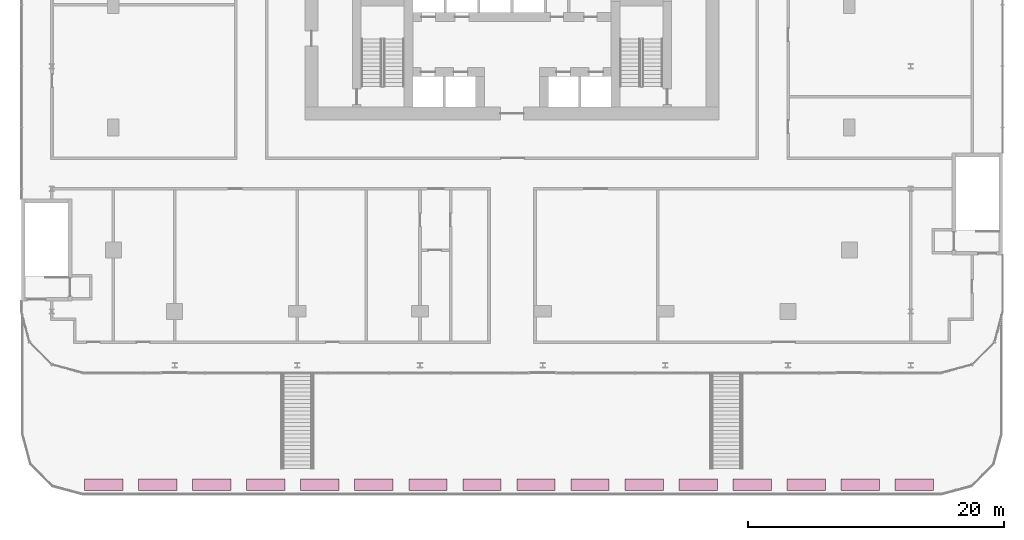
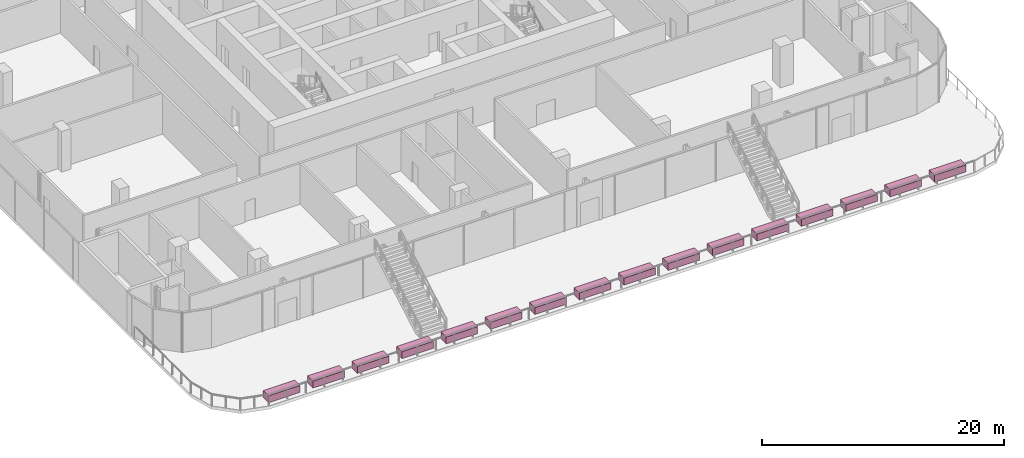
# One storey, part 32 of 32: 16 furniture elements.
"""IFC4 building model written with IfcOpenShell, lengths in metres."""

from ifc_helpers import new_model, si_unit, direction, frame, origin, origin_2d, place, context, subcontext, project, spatial, rectangle, extrude, material, type_object, element, save


model = new_model("IFC4")

# Units and contexts
model_context = context("Model", 3, precision=1e-05, world=origin(), true_north=direction((0.0, 1.0)))
body_context = subcontext(model_context, "Body", "Model", "MODEL_VIEW")
ifc_project = project(units=[si_unit("LENGTHUNIT", "METRE"), si_unit("AREAUNIT", "SQUARE_METRE"), si_unit("VOLUMEUNIT", "CUBIC_METRE"), si_unit("PLANEANGLEUNIT", "RADIAN"), si_unit("MASSUNIT", "GRAM", prefix="KILO")], contexts=[model_context])

# Site, building, storey
site_placement = place(None, origin())
site = spatial("IfcSite", under=ifc_project, at=site_placement, CompositionType="ELEMENT")
building_placement = place(site_placement, origin())
building = spatial("IfcBuilding", under=site, at=building_placement, Name="Madar Terraces", CompositionType="ELEMENT")
storey_placement = place(building_placement, frame((0.0, 0.0, 19.5)))
storey = spatial("IfcBuildingStorey", under=building, at=storey_placement, Name="L04", CompositionType="ELEMENT", Elevation=19.5)

# Furniture
ifc_material = material(Name="Precast concrete C30/37, planted soil", Category="concrete")
furniture_type = type_object("IfcFurnitureType", Name="Terrace planter 3000 x 900 x 700", AssemblyPlace="NOTDEFINED", PredefinedType="NOTDEFINED", material=ifc_material)
for number, where, z_axis, x_axis, name in (
    (1, (-0.753173828125, -13.550048828125, 0.0400390625), (0.0, 0.0, 1.0), (1.0, 0.0, 0.0), "PLANTER L04 1"),
    (2, (3.47607421875, -13.550048828125, 0.0400390625), (0.0, 0.0, 1.0), (1.0, 0.0, 0.0), "PLANTER L04 2"),
    (3, (7.705322265625, -13.550048828125, 0.0400390625), (0.0, 0.0, 1.0), (1.0, 0.0, 0.0), "PLANTER L04 3"),
    (4, (11.9345703125, -13.550048828125, 0.0400390625), (0.0, 0.0, 1.0), (1.0, 0.0, 0.0), "PLANTER L04 4"),
    (5, (16.163818359375, -13.550048828125, 0.0400390625), (0.0, 0.0, 1.0), (1.0, 0.0, 0.0), "PLANTER L04 5"),
    (6, (20.39306640625, -13.550048828125, 0.0400390625), (0.0, 0.0, 1.0), (1.0, 0.0, 0.0), "PLANTER L04 6"),
    (7, (24.622314453125, -13.550048828125, 0.0400390625), (0.0, 0.0, 1.0), (1.0, 0.0, 0.0), "PLANTER L04 7"),
    (8, (28.8515625, -13.550048828125, 0.0400390625), (0.0, 0.0, 1.0), (1.0, 0.0, 0.0), "PLANTER L04 8"),
    (9, (33.080810546875, -13.550048828125, 0.0400390625), (0.0, 0.0, 1.0), (1.0, 0.0, 0.0), "PLANTER L04 9"),
    (10, (37.31005859375, -13.550048828125, 0.0400390625), (0.0, 0.0, 1.0), (1.0, 0.0, 0.0), "PLANTER L04 10"),
    (11, (41.539306640625, -13.550048828125, 0.0400390625), (0.0, 0.0, 1.0), (1.0, 0.0, 0.0), "PLANTER L04 11"),
    (12, (45.7685546875, -13.550048828125, 0.0400390625), (0.0, 0.0, 1.0), (1.0, 0.0, 0.0), "PLANTER L04 12"),
    (13, (49.997802734375, -13.550048828125, 0.0400390625), (0.0, 0.0, 1.0), (1.0, 0.0, 0.0), "PLANTER L04 13"),
    (14, (54.226806640625, -13.550048828125, 0.0400390625), (0.0, 0.0, 1.0), (1.0, 0.0, 0.0), "PLANTER L04 14"),
    (15, (58.456298828125, -13.550048828125, 0.0400390625), (0.0, 0.0, 1.0), (1.0, 0.0, 0.0), "PLANTER L04 15"),
    (16, (62.685302734375, -13.550048828125, 0.0400390625), (0.0, 0.0, 1.0), (1.0, 0.0, 0.0), "PLANTER L04 16"),
):
    element("IfcFurniture", number, at=place(storey_placement, frame(where, z_axis=z_axis, x_axis=x_axis)), inside=storey, type_object=furniture_type, Name=name, PredefinedType="NOTDEFINED", context=body_context, shape_type="SweptSolid", body=[
        extrude(rectangle(XDim=3.0, YDim=0.89990234375, at=origin_2d()), origin(), (0.0, 0.0, 1.0), 0.699951171875),
    ])

save(model, "model.ifc")
